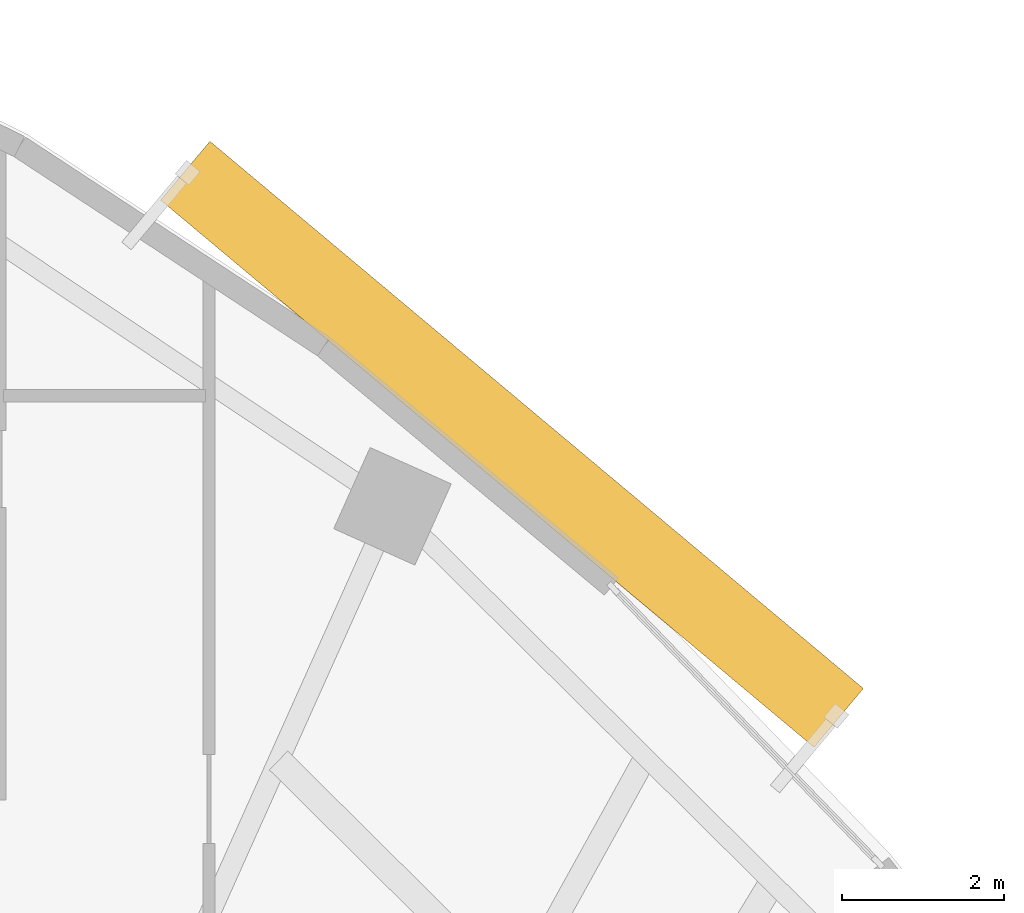
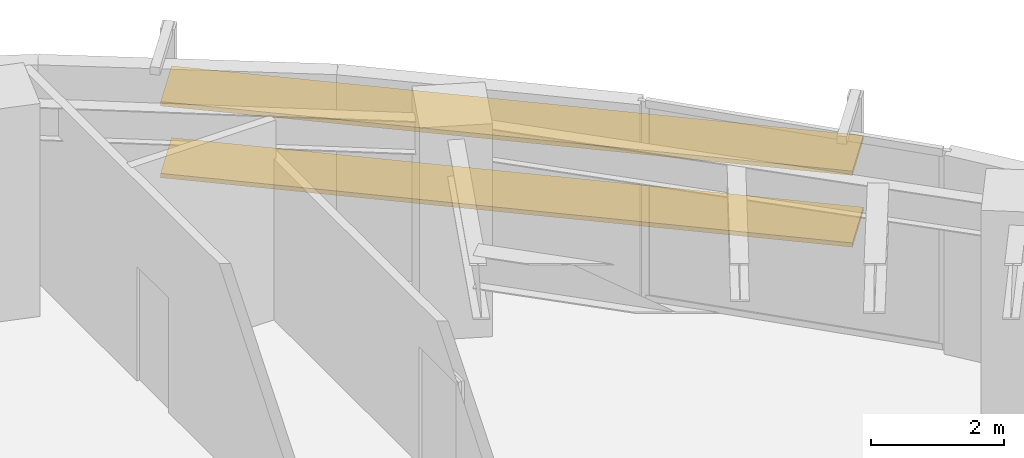
# One storey, part 12 of 12: 2 shading devices.
"""IFC4 building model written with IfcOpenShell, lengths in metres."""

from ifc_helpers import new_model, si_unit, direction, frame, origin, origin_2d, place, context, subcontext, project, spatial, rectangle, extrude, source, transform, mapped, material, material_profile, profile_set, type_object, element, save


model = new_model("IFC4")

# Units and contexts
model_context = context("Model", 3, precision=1e-05, world=origin(), true_north=direction((0.0, 1.0)))
body_context = subcontext(model_context, "Body", "Model", "MODEL_VIEW")
ifc_project = project(units=[si_unit("LENGTHUNIT", "METRE"), si_unit("AREAUNIT", "SQUARE_METRE"), si_unit("VOLUMEUNIT", "CUBIC_METRE"), si_unit("PLANEANGLEUNIT", "RADIAN"), si_unit("MASSUNIT", "GRAM", prefix="KILO")], contexts=[model_context])

# Site, building, storey
site_placement = place(None, origin())
site = spatial("IfcSite", under=ifc_project, at=site_placement, CompositionType="ELEMENT")
building_placement = place(site_placement, origin())
building = spatial("IfcBuilding", under=site, at=building_placement, Name="Breltana Convention Tower", CompositionType="ELEMENT")
storey_placement = place(building_placement, frame((0.0, 0.0, 150.60009765625)))
storey = spatial("IfcBuildingStorey", under=building, at=storey_placement, Name="L36", CompositionType="ELEMENT", Elevation=150.60009765625)

# Shading devices
ifc_material = material(Name="Limestone Warm Buff Honed", Category="masonry")
ifc_material_profile = material_profile(ifc_material, rectangle(XDim=0.949951171875, YDim=0.080078125, at=origin_2d()), Name="STN-LVR-950X80")
ifc_profile_set = profile_set([ifc_material_profile], Name="Limestone Warm Buff Honed")
shading_device_type = type_object("IfcShadingDeviceType", Name="SHD-OUTER-SKIN-LIMESTONE-950", PredefinedType="JALOUSIE", material=ifc_profile_set)
shared_shape = source(origin(), body_context, "Body", "SweptSolid", [
    extrude(rectangle(XDim=0.949951171875, YDim=0.080078125, at=origin_2d()), origin(), (0.0, 0.0, 1.0), 10.538330078125),
])
for number, where, z_axis, x_axis, name in (
    (1, (66.34814453125, 72.782958984375, 1.31396484375), (0.766705694316, -0.641998736996, 0.0), (0.641998736996, 0.766705694316, 0.0), "L36 outer skin warm limestone louvre 2.1"),
    (2, (66.34814453125, 72.782958984375, 2.6279296875), (0.766705694316, -0.641998736996, 0.0), (0.641998736996, 0.766705694316, 0.0), "L36 outer skin warm limestone louvre 2.2"),
):
    element("IfcShadingDevice", number, at=place(storey_placement, frame(where, z_axis=z_axis, x_axis=x_axis)), inside=storey, type_object=shading_device_type, Name=name, PredefinedType="JALOUSIE", context=body_context, shape_type="MappedRepresentation", body=[
        mapped(shared_shape, transform((0.0, 0.0, 0.0), scale=1.0)),
    ])

save(model, "model.ifc")
